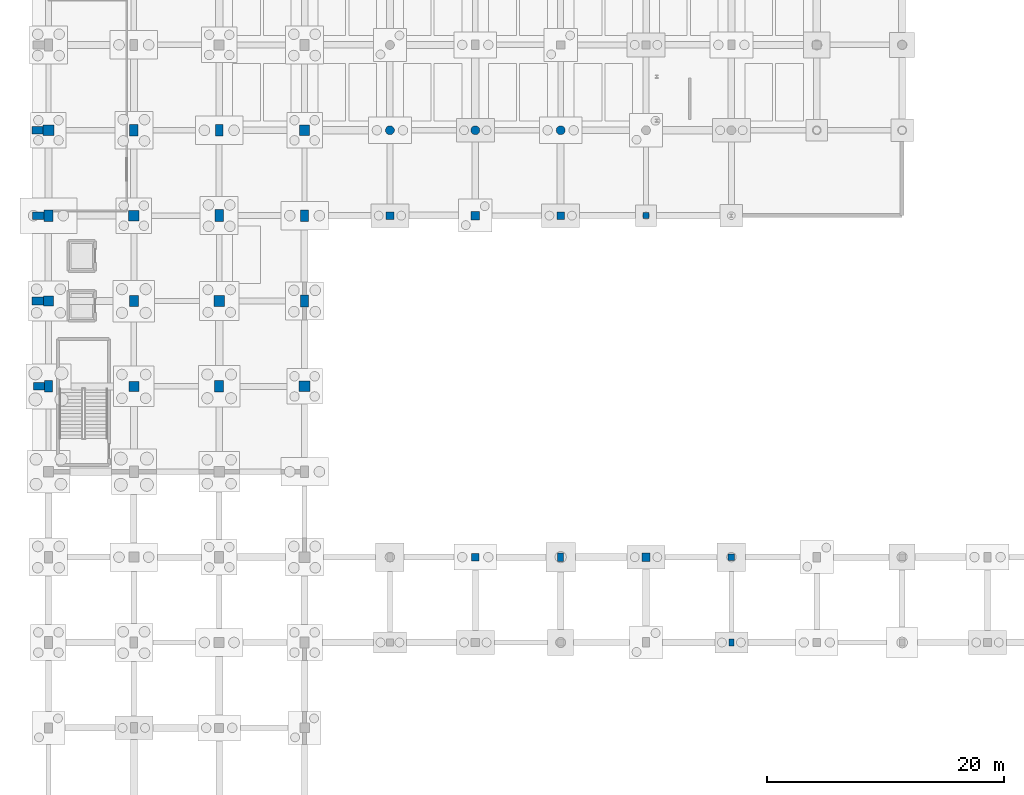
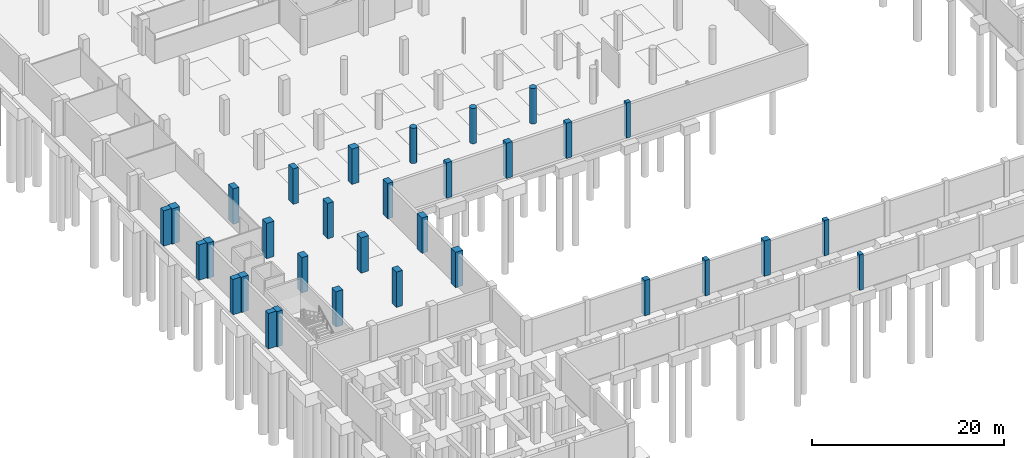
# One storey, part 14 of 35: 32 columns.
"""IFC4 building model written with IfcOpenShell, lengths in metres."""

from ifc_helpers import new_model, si_unit, direction, frame, origin, origin_2d, place, context, subcontext, project, spatial, rectangle, circle, extrude, material, material_profile, profile_set, type_object, element, save


model = new_model("IFC4")

# Units and contexts
model_context = context("Model", 3, precision=1e-05, world=origin(), true_north=direction((0.0, 1.0)))
body_context = subcontext(model_context, "Body", "Model", "MODEL_VIEW")
ifc_project = project(units=[si_unit("LENGTHUNIT", "METRE"), si_unit("AREAUNIT", "SQUARE_METRE"), si_unit("VOLUMEUNIT", "CUBIC_METRE"), si_unit("PLANEANGLEUNIT", "RADIAN"), si_unit("MASSUNIT", "GRAM", prefix="KILO")], contexts=[model_context])

# Site, building, storey
site_placement = place(None, origin())
site = spatial("IfcSite", under=ifc_project, at=site_placement, CompositionType="ELEMENT")
building_placement = place(site_placement, origin())
building = spatial("IfcBuilding", under=site, at=building_placement, Name="Kalluvel Institute of Natural Sciences", CompositionType="ELEMENT")
storey_placement = place(building_placement, frame((0.0, 0.0, -4.5)))
storey = spatial("IfcBuildingStorey", under=building, at=storey_placement, Name="B1", CompositionType="ELEMENT", Elevation=-4.5)

# Columns
ifc_material_1 = material(Name="Concrete M40", Category="concrete")
ifc_material_profile_1 = material_profile(ifc_material_1, rectangle(XDim=0.449951171875, YDim=0.60009765625, at=origin_2d()), Name="RC 450x600")
ifc_profile_set_1 = profile_set([ifc_material_profile_1], Name="Concrete M40")
column_type_1 = type_object("IfcColumnType", Name="COL-RC450x600", PredefinedType="COLUMN", material=ifc_profile_set_1)
column_1_placement = place(storey_placement, frame((71.60009765625, 28.39990234375, 0.0), z_axis=(0.0, 0.0, 1.0), x_axis=(1.0, 0.0, 0.0)))
element("IfcColumn", 1, at=column_1_placement, inside=storey, type_object=column_type_1, Name="B1 structural column COL-B1-X716-Y284", PredefinedType="COLUMN", context=body_context, shape_type="SweptSolid", body=[
    extrude(rectangle(XDim=0.449951171875, YDim=0.60009765625, at=origin_2d()), origin(), (0.0, 0.0, 1.0), 4.5),
])
ifc_material_profile_2 = material_profile(ifc_material_1, rectangle(XDim=0.5, YDim=0.5, at=origin_2d()), Name="RC 500x500")
ifc_profile_set_2 = profile_set([ifc_material_profile_2], Name="Concrete M40")
column_type_2 = type_object("IfcColumnType", Name="COL-RC500", PredefinedType="COLUMN", material=ifc_profile_set_2)
column_2_placement = place(storey_placement, frame((64.39990234375, 64.39990234375, 0.0), z_axis=(0.0, 0.0, 1.0), x_axis=(1.0, 0.0, 0.0)))
element("IfcColumn", 2, at=column_2_placement, inside=storey, type_object=column_type_2, Name="B1 structural column COL-B1-X644-Y644", PredefinedType="COLUMN", context=body_context, shape_type="SweptSolid", body=[
    extrude(rectangle(XDim=0.5, YDim=0.5, at=origin_2d()), origin(), (0.0, 0.0, 1.0), 4.5),
])
ifc_material_profile_3 = material_profile(ifc_material_1, rectangle(XDim=0.5, YDim=0.699951171875, at=origin_2d()), Name="RC 500x700")
ifc_profile_set_3 = profile_set([ifc_material_profile_3], Name="Concrete M40")
column_type_3 = type_object("IfcColumnType", Name="COL-RC500x700", PredefinedType="COLUMN", material=ifc_profile_set_3)
column_3_placement = place(storey_placement, frame((57.199951171875, 35.60009765625, 0.0), z_axis=(0.0, 0.0, 1.0), x_axis=(1.0, 0.0, 0.0)))
element("IfcColumn", 3, at=column_3_placement, inside=storey, type_object=column_type_3, Name="B1 structural column COL-B1-X572-Y356", PredefinedType="COLUMN", context=body_context, shape_type="SweptSolid", body=[
    extrude(rectangle(XDim=0.5, YDim=0.699951171875, at=origin_2d()), origin(), (0.0, 0.0, 1.0), 4.5),
])
ifc_material_profile_4 = material_profile(ifc_material_1, rectangle(XDim=0.550048828125, YDim=0.550048828125, at=origin_2d()), Name="RC 550x550")
ifc_profile_set_4 = profile_set([ifc_material_profile_4], Name="Concrete M40")
column_type_4 = type_object("IfcColumnType", Name="COL-RC550", PredefinedType="COLUMN", material=ifc_profile_set_4)
column_4_placement = place(storey_placement, frame((71.60009765625, 35.60009765625, 0.0), z_axis=(0.0, 0.0, 1.0), x_axis=(1.0, 0.0, 0.0)))
element("IfcColumn", 4, at=column_4_placement, inside=storey, type_object=column_type_4, Name="B1 structural column COL-B1-X716-Y356", PredefinedType="COLUMN", context=body_context, shape_type="SweptSolid", body=[
    extrude(rectangle(XDim=0.550048828125, YDim=0.550048828125, at=origin_2d()), origin(), (0.0, 0.0, 1.0), 4.5),
])
ifc_material_profile_5 = material_profile(ifc_material_1, rectangle(XDim=0.64990234375, YDim=0.64990234375, at=origin_2d()), Name="RC 650x650")
ifc_profile_set_5 = profile_set([ifc_material_profile_5], Name="Concrete M40")
column_type_5 = type_object("IfcColumnType", Name="COL-RC650", PredefinedType="COLUMN", material=ifc_profile_set_5)
for number, where, z_axis, x_axis, name in (
    (5, (42.800048828125, 64.39990234375, 0.0), (0.0, 0.0, 1.0), (1.0, 0.0, 0.0), "B1 structural column COL-B1-X428-Y644"),
    (6, (50.0, 35.60009765625, 0.0), (0.0, 0.0, 1.0), (1.0, 0.0, 0.0), "B1 structural column COL-B1-X500-Y356"),
    (7, (57.199951171875, 64.39990234375, 0.0), (0.0, 0.0, 1.0), (1.0, 0.0, 0.0), "B1 structural column COL-B1-X572-Y644"),
):
    element("IfcColumn", number, at=place(storey_placement, frame(where, z_axis=z_axis, x_axis=x_axis)), inside=storey, type_object=column_type_5, Name=name, PredefinedType="COLUMN", context=body_context, shape_type="SweptSolid", body=[
        extrude(rectangle(XDim=0.64990234375, YDim=0.64990234375, at=origin_2d()), origin(), (0.0, 0.0, 1.0), 4.5),
    ])
ifc_material_2 = material(Name="Concrete M50", Category="concrete")
ifc_material_profile_6 = material_profile(ifc_material_2, rectangle(XDim=0.64990234375, YDim=0.949951171875, at=origin_2d()), Name="RC 650x950")
ifc_profile_set_6 = profile_set([ifc_material_profile_6], Name="Concrete M50")
column_type_6 = type_object("IfcColumnType", Name="COL-RC650x950", PredefinedType="COLUMN", material=ifc_profile_set_6)
for number, where, z_axis, x_axis, name in (
    (8, (14.0, 50.0, 0.0), (0.0, 0.0, 1.0), (1.0, 0.0, 0.0), "B1 structural column COL-B1-X140-Y500"),
    (9, (28.39990234375, 71.60009765625, 0.0), (0.0, 0.0, 1.0), (1.0, 0.0, 0.0), "B1 structural column COL-B1-X284-Y716"),
    (10, (35.60009765625, 64.39990234375, 0.0), (0.0, 0.0, 1.0), (1.0, 0.0, 0.0), "B1 structural column COL-B1-X356-Y644"),
    (11, (13.197021484375, 50.0, 0.0), (0.0, 0.0, 1.0), (0.0, 1.0, 0.0), "B1 Gothic stepped Sadarahalli granite buttress 77"),
    (12, (13.096923828125, 57.199951171875, 0.0), (0.0, 0.0, 1.0), (0.0, 1.0, 0.0), "B1 Gothic stepped Sadarahalli granite buttress 85"),
    (13, (13.14697265625, 64.39990234375, 0.0), (0.0, 0.0, 1.0), (0.0, 1.0, 0.0), "B1 Gothic stepped Sadarahalli granite buttress 93"),
    (14, (13.072021484375, 71.60009765625, 0.0), (0.0, 0.0, 1.0), (0.0, 1.0, 0.0), "B1 Gothic stepped Sadarahalli granite buttress 101"),
):
    element("IfcColumn", number, at=place(storey_placement, frame(where, z_axis=z_axis, x_axis=x_axis)), inside=storey, type_object=column_type_6, Name=name, PredefinedType="COLUMN", context=body_context, shape_type="SweptSolid", body=[
        extrude(rectangle(XDim=0.64990234375, YDim=0.949951171875, at=origin_2d()), origin(), (0.0, 0.0, 1.0), 4.5),
    ])
ifc_material_profile_7 = material_profile(ifc_material_1, rectangle(XDim=0.699951171875, YDim=0.699951171875, at=origin_2d()), Name="RC 700x700")
ifc_profile_set_7 = profile_set([ifc_material_profile_7], Name="Concrete M40")
column_type_7 = type_object("IfcColumnType", Name="COL-RC700", PredefinedType="COLUMN", material=ifc_profile_set_7)
for number, where, z_axis, x_axis, name in (
    (15, (50.0, 64.39990234375, 0.0), (0.0, 0.0, 1.0), (1.0, 0.0, 0.0), "B1 structural column COL-B1-X500-Y644"),
    (16, (64.39990234375, 35.60009765625, 0.0), (0.0, 0.0, 1.0), (1.0, 0.0, 0.0), "B1 structural column COL-B1-X644-Y356"),
):
    element("IfcColumn", number, at=place(storey_placement, frame(where, z_axis=z_axis, x_axis=x_axis)), inside=storey, type_object=column_type_7, Name=name, PredefinedType="COLUMN", context=body_context, shape_type="SweptSolid", body=[
        extrude(rectangle(XDim=0.699951171875, YDim=0.699951171875, at=origin_2d()), origin(), (0.0, 0.0, 1.0), 4.5),
    ])
ifc_material_profile_8 = material_profile(ifc_material_2, rectangle(XDim=0.699951171875, YDim=1.0, at=origin_2d()), Name="RC 700x1000")
ifc_profile_set_8 = profile_set([ifc_material_profile_8], Name="Concrete M50")
column_type_8 = type_object("IfcColumnType", Name="COL-RC700x1000", PredefinedType="COLUMN", material=ifc_profile_set_8)
for number, where, z_axis, x_axis, name in (
    (17, (21.199951171875, 71.60009765625, 0.0), (0.0, 0.0, 1.0), (1.0, 0.0, 0.0), "B1 structural column COL-B1-X212-Y716"),
    (18, (28.39990234375, 64.39990234375, 0.0), (0.0, 0.0, 1.0), (1.0, 0.0, 0.0), "B1 structural column COL-B1-X284-Y644"),
    (19, (35.60009765625, 57.199951171875, 0.0), (0.0, 0.0, 1.0), (1.0, 0.0, 0.0), "B1 structural column COL-B1-X356-Y572"),
):
    element("IfcColumn", number, at=place(storey_placement, frame(where, z_axis=z_axis, x_axis=x_axis)), inside=storey, type_object=column_type_8, Name=name, PredefinedType="COLUMN", context=body_context, shape_type="SweptSolid", body=[
        extrude(rectangle(XDim=0.699951171875, YDim=1.0, at=origin_2d()), origin(), (0.0, 0.0, 1.0), 4.5),
    ])
ifc_material_profile_9 = material_profile(ifc_material_2, rectangle(XDim=0.75, YDim=0.949951171875, at=origin_2d()), Name="RC 750x950")
ifc_profile_set_9 = profile_set([ifc_material_profile_9], Name="Concrete M50")
column_type_9 = type_object("IfcColumnType", Name="COL-RC750x950", PredefinedType="COLUMN", material=ifc_profile_set_9)
for number, where, z_axis, x_axis, name in (
    (20, (14.0, 64.39990234375, 0.0), (0.0, 0.0, 1.0), (1.0, 0.0, 0.0), "B1 structural column COL-B1-X140-Y644"),
    (21, (21.199951171875, 57.199951171875, 0.0), (0.0, 0.0, 1.0), (1.0, 0.0, 0.0), "B1 structural column COL-B1-X212-Y572"),
    (22, (28.39990234375, 50.0, 0.0), (0.0, 0.0, 1.0), (1.0, 0.0, 0.0), "B1 structural column COL-B1-X284-Y500"),
):
    element("IfcColumn", number, at=place(storey_placement, frame(where, z_axis=z_axis, x_axis=x_axis)), inside=storey, type_object=column_type_9, Name=name, PredefinedType="COLUMN", context=body_context, shape_type="SweptSolid", body=[
        extrude(rectangle(XDim=0.75, YDim=0.949951171875, at=origin_2d()), origin(), (0.0, 0.0, 1.0), 4.5),
    ])
ifc_material_profile_10 = material_profile(ifc_material_2, rectangle(XDim=0.85009765625, YDim=0.85009765625, at=origin_2d()), Name="RC 850x850")
ifc_profile_set_10 = profile_set([ifc_material_profile_10], Name="Concrete M50")
column_type_10 = type_object("IfcColumnType", Name="COL-RC850", PredefinedType="COLUMN", material=ifc_profile_set_10)
for number, where, z_axis, x_axis, name in (
    (23, (14.0, 57.199951171875, 0.0), (0.0, 0.0, 1.0), (1.0, 0.0, 0.0), "B1 structural column COL-B1-X140-Y572"),
    (24, (21.199951171875, 50.0, 0.0), (0.0, 0.0, 1.0), (1.0, 0.0, 0.0), "B1 structural column COL-B1-X212-Y500"),
    (25, (35.60009765625, 71.60009765625, 0.0), (0.0, 0.0, 1.0), (1.0, 0.0, 0.0), "B1 structural column COL-B1-X356-Y716"),
):
    element("IfcColumn", number, at=place(storey_placement, frame(where, z_axis=z_axis, x_axis=x_axis)), inside=storey, type_object=column_type_10, Name=name, PredefinedType="COLUMN", context=body_context, shape_type="SweptSolid", body=[
        extrude(rectangle(XDim=0.85009765625, YDim=0.85009765625, at=origin_2d()), origin(), (0.0, 0.0, 1.0), 4.5),
    ])
ifc_material_profile_11 = material_profile(ifc_material_2, rectangle(XDim=0.89990234375, YDim=0.89990234375, at=origin_2d()), Name="RC 900x900")
ifc_profile_set_11 = profile_set([ifc_material_profile_11], Name="Concrete M50")
column_type_11 = type_object("IfcColumnType", Name="COL-RC900", PredefinedType="COLUMN", material=ifc_profile_set_11)
for number, where, z_axis, x_axis, name in (
    (26, (14.0, 71.60009765625, 0.0), (0.0, 0.0, 1.0), (1.0, 0.0, 0.0), "B1 structural column COL-B1-X140-Y716"),
    (27, (21.199951171875, 64.39990234375, 0.0), (0.0, 0.0, 1.0), (1.0, 0.0, 0.0), "B1 structural column COL-B1-X212-Y644"),
    (28, (28.39990234375, 57.199951171875, 0.0), (0.0, 0.0, 1.0), (1.0, 0.0, 0.0), "B1 structural column COL-B1-X284-Y572"),
    (29, (35.60009765625, 50.0, 0.0), (0.0, 0.0, 1.0), (1.0, 0.0, 0.0), "B1 structural column COL-B1-X356-Y500"),
):
    element("IfcColumn", number, at=place(storey_placement, frame(where, z_axis=z_axis, x_axis=x_axis)), inside=storey, type_object=column_type_11, Name=name, PredefinedType="COLUMN", context=body_context, shape_type="SweptSolid", body=[
        extrude(rectangle(XDim=0.89990234375, YDim=0.89990234375, at=origin_2d()), origin(), (0.0, 0.0, 1.0), 4.5),
    ])
ifc_material_profile_12 = material_profile(ifc_material_2, circle(Radius=0.375, at=origin_2d()), Name="RCCOL D750")
ifc_profile_set_12 = profile_set([ifc_material_profile_12], Name="Concrete M50")
column_type_12 = type_object("IfcColumnType", Name="COL-RCD750", PredefinedType="COLUMN", material=ifc_profile_set_12)
for number, where, z_axis, x_axis, name in (
    (30, (42.800048828125, 71.60009765625, 0.0), (0.0, 0.0, 1.0), (1.0, 0.0, 0.0), "B1 structural column COL-B1-X428-Y716"),
    (31, (50.0, 71.60009765625, 0.0), (0.0, 0.0, 1.0), (1.0, 0.0, 0.0), "B1 structural column COL-B1-X500-Y716"),
    (32, (57.199951171875, 71.60009765625, 0.0), (0.0, 0.0, 1.0), (1.0, 0.0, 0.0), "B1 structural column COL-B1-X572-Y716"),
):
    element("IfcColumn", number, at=place(storey_placement, frame(where, z_axis=z_axis, x_axis=x_axis)), inside=storey, type_object=column_type_12, Name=name, PredefinedType="COLUMN", context=body_context, shape_type="SweptSolid", body=[
        extrude(circle(Radius=0.375, at=origin_2d()), origin(), (0.0, 0.0, 1.0), 4.5),
    ])

save(model, "model.ifc")
